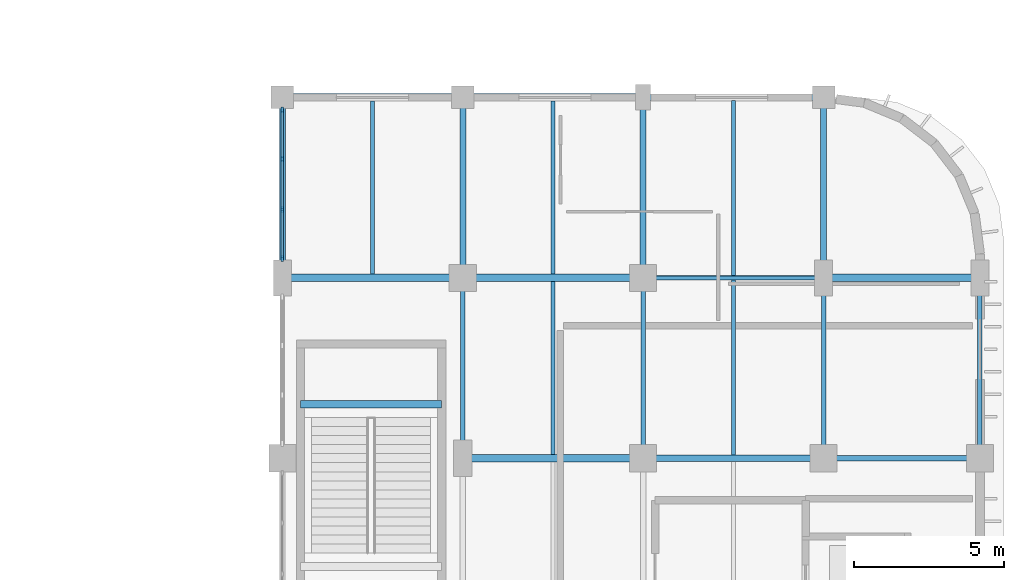
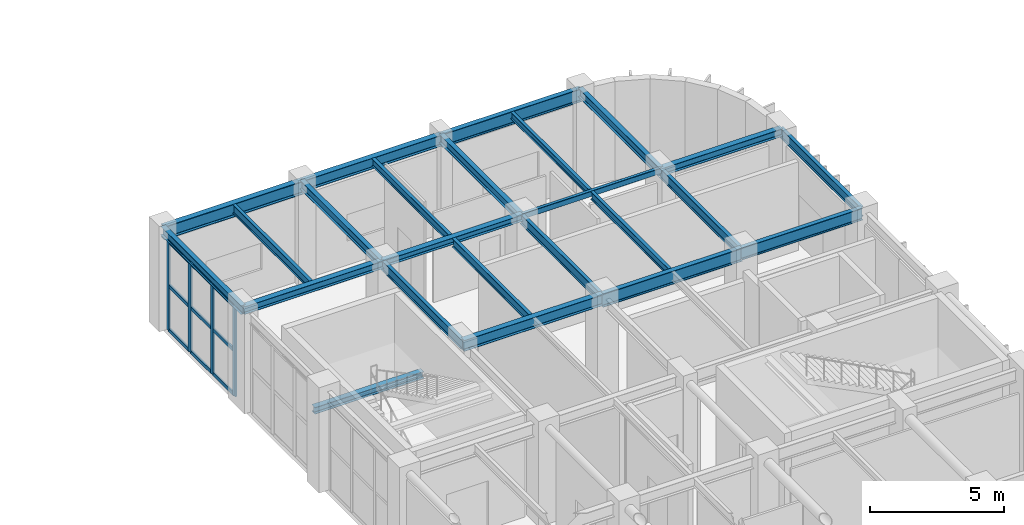
# One storey, part 31 of 76: 24 beams, 13 members, 1 element without a shape of its own.
"""IFC4 building model written with IfcOpenShell, lengths in metres."""

from ifc_helpers import new_model, si_unit, direction, frame, origin, origin_2d, place, context, subcontext, project, spatial, rectangle, hollow_rectangle, i_section, extrude, material, material_profile, profile_set, type_object, element, aggregate, save


model = new_model("IFC4")

# Units and contexts
model_context = context("Model", 3, precision=1e-05, world=origin(), true_north=direction((0.0, 1.0)))
body_context = subcontext(model_context, "Body", "Model", "MODEL_VIEW")
ifc_project = project(units=[si_unit("LENGTHUNIT", "METRE"), si_unit("AREAUNIT", "SQUARE_METRE"), si_unit("VOLUMEUNIT", "CUBIC_METRE"), si_unit("PLANEANGLEUNIT", "RADIAN"), si_unit("MASSUNIT", "GRAM", prefix="KILO")], contexts=[model_context])

# Site, building, storey
site_placement = place(None, origin())
site = spatial("IfcSite", under=ifc_project, at=site_placement, CompositionType="ELEMENT")
building_placement = place(site_placement, origin())
building = spatial("IfcBuilding", under=site, at=building_placement, Name="Varnakota Square Police Headquarters", CompositionType="ELEMENT")
storey_placement = place(building_placement, origin())
storey = spatial("IfcBuildingStorey", under=building, at=storey_placement, Name="L00", CompositionType="ELEMENT", Elevation=0.0)

# Beams
ifc_material_1 = material(Name="Steel IS 2062 Grade 350", Category="steel")
ifc_material_profile_1 = material_profile(ifc_material_1, hollow_rectangle(XDim=0.14990234375, YDim=0.25, WallThickness=0.010009765625, InnerFilletRadius=0.010009765625, OuterFilletRadius=0.02001953125, at=origin_2d()), Name="RHS 250x150x10")
ifc_profile_set_1 = profile_set([ifc_material_profile_1], Name="Steel IS 2062 Grade 350")
beam_type_1 = type_object("IfcBeamType", Name="BM-CBEAM-RHS250", PredefinedType="BEAM", material=ifc_profile_set_1)
beam_1_placement = place(storey_placement, frame((150.0, 39.0, 4.375), z_axis=(1.0, 0.0, 0.0), x_axis=(0.0, 1.0, 0.0)))
element("IfcBeam", 1, at=beam_1_placement, inside=storey, type_object=beam_type_1, Name="BMG-L00-0788", PredefinedType="BEAM", context=body_context, shape_type="SweptSolid", body=[
    extrude(hollow_rectangle(XDim=0.14990234375, YDim=0.25, WallThickness=0.010009765625, InnerFilletRadius=0.010009765625, OuterFilletRadius=0.02001953125, at=origin_2d()), origin(), (0.0, 0.0, 1.0), 6.0),
])
ifc_material_profile_2 = material_profile(ifc_material_1, i_section(OverallWidth=0.25, OverallDepth=0.300048828125, WebThickness=0.009521484375, FlangeThickness=0.010498046875, FilletRadius=0.011962890625, at=origin_2d()), Name="ISHB 300")
ifc_profile_set_2 = profile_set([ifc_material_profile_2], Name="Steel IS 2062 Grade 350")
beam_type_2 = type_object("IfcBeamType", Name="BM-ISHB300", PredefinedType="BEAM", material=ifc_profile_set_2)
beam_2_placement = place(storey_placement, frame((144.0, 39.0, 4.35009765625), z_axis=(1.0, 0.0, 0.0), x_axis=(0.0, 1.0, 0.0)))
element("IfcBeam", 2, at=beam_2_placement, inside=storey, type_object=beam_type_2, Name="BMG-L00-0787", PredefinedType="BEAM", context=body_context, shape_type="SweptSolid", body=[
    extrude(i_section(OverallWidth=0.25, OverallDepth=0.300048828125, WebThickness=0.009521484375, FlangeThickness=0.010498046875, FilletRadius=0.011962890625, at=origin_2d()), origin(), (0.0, 0.0, 1.0), 6.0),
])
beam_3_placement = place(storey_placement, frame((138.60009765625, 34.80078125, 2.087890625), z_axis=(1.0, 0.0, 0.0), x_axis=(0.0, 1.0, 0.0)))
element("IfcBeam", 3, at=beam_3_placement, inside=storey, type_object=beam_type_2, Name="Stair landing support beam BM-LND-0031", PredefinedType="BEAM", context=body_context, shape_type="SweptSolid", body=[
    extrude(i_section(OverallWidth=0.25, OverallDepth=0.300048828125, WebThickness=0.009521484375, FlangeThickness=0.010498046875, FilletRadius=0.011962890625, at=origin_2d()), origin(), (0.0, 0.0, 1.0), 4.699951171875),
])
ifc_material_profile_3 = material_profile(ifc_material_1, i_section(OverallWidth=0.25, OverallDepth=0.35009765625, WebThickness=0.010009765625, FlangeThickness=0.01171875, FilletRadius=0.011962890625, at=origin_2d()), Name="ISHB 350")
ifc_profile_set_3 = profile_set([ifc_material_profile_3], Name="Steel IS 2062 Grade 350")
beam_type_3 = type_object("IfcBeamType", Name="BM-ISHB350", PredefinedType="BEAM", material=ifc_profile_set_3)
beam_4_placement = place(storey_placement, frame((138.0, 39.0, 4.324951171875), z_axis=(1.0, 0.0, 0.0), x_axis=(0.0, 1.0, 0.0)))
element("IfcBeam", 4, at=beam_4_placement, inside=storey, type_object=beam_type_3, Name="BMG-L00-0786", PredefinedType="BEAM", context=body_context, shape_type="SweptSolid", body=[
    extrude(i_section(OverallWidth=0.25, OverallDepth=0.35009765625, WebThickness=0.010009765625, FlangeThickness=0.01171875, FilletRadius=0.011962890625, at=origin_2d()), origin(), (0.0, 0.0, 1.0), 6.0),
])
beam_5_placement = place(storey_placement, frame((156.0, 39.0, 4.324951171875), z_axis=(1.0, 0.0, 0.0), x_axis=(0.0, 1.0, 0.0)))
element("IfcBeam", 5, at=beam_5_placement, inside=storey, type_object=beam_type_3, Name="BMG-L00-0789", PredefinedType="BEAM", context=body_context, shape_type="SweptSolid", body=[
    extrude(i_section(OverallWidth=0.25, OverallDepth=0.35009765625, WebThickness=0.010009765625, FlangeThickness=0.01171875, FilletRadius=0.011962890625, at=origin_2d()), origin(), (0.0, 0.0, 1.0), 5.199951171875),
])
ifc_material_profile_4 = material_profile(ifc_material_1, i_section(OverallWidth=0.139892578125, OverallDepth=0.300048828125, WebThickness=0.0078125, FlangeThickness=0.01318359375, FilletRadius=0.013916015625, at=origin_2d()), Name="ISMB 300")
ifc_profile_set_4 = profile_set([ifc_material_profile_4], Name="Steel IS 2062 Grade 350")
beam_type_4 = type_object("IfcBeamType", Name="BM-ISMB300", PredefinedType="JOIST", material=ifc_profile_set_4)
beam_6_placement = place(storey_placement, frame((153.0, 39.072998046875, 4.35009765625), z_axis=(0.0, 1.0, 0.0), x_axis=(-1.0, 0.0, 0.0)))
element("IfcBeam", 6, at=beam_6_placement, inside=storey, type_object=beam_type_4, Name="BMG-L00-1302", PredefinedType="JOIST", context=body_context, shape_type="SweptSolid", body=[
    extrude(i_section(OverallWidth=0.139892578125, OverallDepth=0.300048828125, WebThickness=0.0078125, FlangeThickness=0.01318359375, FilletRadius=0.013916015625, at=origin_2d()), origin(), (0.0, 0.0, 1.0), 5.823974609375),
])
ifc_material_profile_5 = material_profile(ifc_material_1, i_section(OverallWidth=0.139892578125, OverallDepth=0.35009765625, WebThickness=0.008056640625, FlangeThickness=0.01416015625, FilletRadius=0.013916015625, at=origin_2d()), Name="ISMB 350")
ifc_profile_set_5 = profile_set([ifc_material_profile_5], Name="Steel IS 2062 Grade 350")
beam_type_5 = type_object("IfcBeamType", Name="BM-ISMB350", PredefinedType="JOIST", material=ifc_profile_set_5)
beam_7_placement = place(storey_placement, frame((147.0, 39.123046875, 4.324951171875), z_axis=(0.0, 1.0, 0.0), x_axis=(-1.0, 0.0, 0.0)))
element("IfcBeam", 7, at=beam_7_placement, inside=storey, type_object=beam_type_5, Name="BMG-L00-1293", PredefinedType="JOIST", context=body_context, shape_type="SweptSolid", body=[
    extrude(i_section(OverallWidth=0.139892578125, OverallDepth=0.35009765625, WebThickness=0.008056640625, FlangeThickness=0.01416015625, FilletRadius=0.013916015625, at=origin_2d()), origin(), (0.0, 0.0, 1.0), 5.75390625),
])
beam_8_placement = place(storey_placement, frame((153.0, 33.10302734375, 4.324951171875), z_axis=(0.0, 1.0, 0.0), x_axis=(-1.0, 0.0, 0.0)))
element("IfcBeam", 8, at=beam_8_placement, inside=storey, type_object=beam_type_5, Name="BMG-L00-1301", PredefinedType="JOIST", context=body_context, shape_type="SweptSolid", body=[
    extrude(i_section(OverallWidth=0.139892578125, OverallDepth=0.35009765625, WebThickness=0.008056640625, FlangeThickness=0.01416015625, FilletRadius=0.013916015625, at=origin_2d()), origin(), (0.0, 0.0, 1.0), 5.823974609375),
])
ifc_material_profile_6 = material_profile(ifc_material_1, i_section(OverallWidth=0.139892578125, OverallDepth=0.39990234375, WebThickness=0.0087890625, FlangeThickness=0.01611328125, FilletRadius=0.013916015625, at=origin_2d()), Name="ISMB 400")
ifc_profile_set_6 = profile_set([ifc_material_profile_6], Name="Steel IS 2062 Grade 350")
beam_type_6 = type_object("IfcBeamType", Name="BM-ISMB400", PredefinedType="JOIST", material=ifc_profile_set_6)
for number, where, z_axis, x_axis, name in (
    (9, (141.0, 39.123046875, 4.300048828125), (0.0, 1.0, 0.0), (-1.0, 0.0, 0.0), "BMG-L00-1281"),
    (10, (147.0, 33.123046875, 4.300048828125), (0.0, 1.0, 0.0), (-1.0, 0.0, 0.0), "BMG-L00-1292"),
):
    element("IfcBeam", number, at=place(storey_placement, frame(where, z_axis=z_axis, x_axis=x_axis)), inside=storey, type_object=beam_type_6, Name=name, PredefinedType="JOIST", context=body_context, shape_type="SweptSolid", body=[
        extrude(i_section(OverallWidth=0.139892578125, OverallDepth=0.39990234375, WebThickness=0.0087890625, FlangeThickness=0.01611328125, FilletRadius=0.013916015625, at=origin_2d()), origin(), (0.0, 0.0, 1.0), 5.75390625),
    ])
ifc_material_profile_7 = material_profile(ifc_material_1, i_section(OverallWidth=0.14990234375, OverallDepth=0.449951171875, WebThickness=0.009521484375, FlangeThickness=0.017333984375, FilletRadius=0.014892578125, at=origin_2d()), Name="ISMB 450")
ifc_profile_set_7 = profile_set([ifc_material_profile_7], Name="Steel IS 2062 Grade 350")
beam_type_7 = type_object("IfcBeamType", Name="BM-ISMB450", PredefinedType="BEAM", material=ifc_profile_set_7)
for number, where, z_axis, x_axis, name in (
    (11, (144.0, 33.0, 4.27490234375), (0.0, 1.0, 0.0), (-1.0, 0.0, 0.0), "BMG-L00-1136"),
    (12, (150.0, 33.0, 4.27490234375), (0.0, 1.0, 0.0), (-1.0, 0.0, 0.0), "BMG-L00-1150"),
    (13, (156.0, 33.0, 4.27490234375), (0.0, 1.0, 0.0), (-1.0, 0.0, 0.0), "BMG-L00-1159"),
    (14, (161.199951171875, 33.0, 4.27490234375), (0.0, 1.0, 0.0), (-1.0, 0.0, 0.0), "BMG-L00-1172"),
):
    element("IfcBeam", number, at=place(storey_placement, frame(where, z_axis=z_axis, x_axis=x_axis)), inside=storey, type_object=beam_type_7, Name=name, PredefinedType="BEAM", context=body_context, shape_type="SweptSolid", body=[
        extrude(i_section(OverallWidth=0.14990234375, OverallDepth=0.449951171875, WebThickness=0.009521484375, FlangeThickness=0.017333984375, FilletRadius=0.014892578125, at=origin_2d()), origin(), (0.0, 0.0, 1.0), 6.0),
    ])
ifc_material_profile_8 = material_profile(ifc_material_1, i_section(OverallWidth=0.18994140625, OverallDepth=0.550048828125, WebThickness=0.01123046875, FlangeThickness=0.019287109375, FilletRadius=0.01806640625, at=origin_2d()), Name="ISMB 550")
ifc_profile_set_8 = profile_set([ifc_material_profile_8], Name="Steel IS 2062 Grade 350")
beam_type_8 = type_object("IfcBeamType", Name="BM-ISMB550", PredefinedType="BEAM", material=ifc_profile_set_8)
beam_9_placement = place(storey_placement, frame((156.0, 33.0, 4.22509765625), z_axis=(1.0, 0.0, 0.0), x_axis=(0.0, 1.0, 0.0)))
element("IfcBeam", 15, at=beam_9_placement, inside=storey, type_object=beam_type_8, Name="BMG-L00-0772", PredefinedType="BEAM", context=body_context, shape_type="SweptSolid", body=[
    extrude(i_section(OverallWidth=0.18994140625, OverallDepth=0.550048828125, WebThickness=0.01123046875, FlangeThickness=0.019287109375, FilletRadius=0.01806640625, at=origin_2d()), origin(), (0.0, 0.0, 1.0), 5.199951171875),
])
ifc_material_profile_9 = material_profile(ifc_material_1, i_section(OverallWidth=0.2099609375, OverallDepth=0.60009765625, WebThickness=0.011962890625, FlangeThickness=0.020751953125, FilletRadius=0.02001953125, at=origin_2d()), Name="ISMB 600")
ifc_profile_set_9 = profile_set([ifc_material_profile_9], Name="Steel IS 2062 Grade 350")
beam_type_9 = type_object("IfcBeamType", Name="BM-ISMB600", PredefinedType="BEAM", material=ifc_profile_set_9)
for number, where, z_axis, x_axis, name in (
    (16, (150.0, 33.0, 4.199951171875), (1.0, 0.0, 0.0), (0.0, 1.0, 0.0), "BMG-L00-0771"),
    (17, (150.0, 45.0, 4.199951171875), (1.0, 0.0, 0.0), (0.0, 1.0, 0.0), "BMG-L00-0797"),
):
    element("IfcBeam", number, at=place(storey_placement, frame(where, z_axis=z_axis, x_axis=x_axis)), inside=storey, type_object=beam_type_9, Name=name, PredefinedType="BEAM", context=body_context, shape_type="SweptSolid", body=[
        extrude(i_section(OverallWidth=0.2099609375, OverallDepth=0.60009765625, WebThickness=0.011962890625, FlangeThickness=0.020751953125, FilletRadius=0.02001953125, at=origin_2d()), origin(), (0.0, 0.0, 1.0), 6.0),
    ])
ifc_material_profile_10 = material_profile(ifc_material_1, i_section(OverallWidth=0.199951171875, OverallDepth=0.39990234375, WebThickness=0.008544921875, FlangeThickness=0.012939453125, FilletRadius=0.012939453125, at=origin_2d()), Name="ISWB 400")
ifc_profile_set_10 = profile_set([ifc_material_profile_10], Name="Steel IS 2062 Grade 350")
beam_type_10 = type_object("IfcBeamType", Name="BM-ISWB400", PredefinedType="BEAM", material=ifc_profile_set_10)
for number, where, z_axis, x_axis, name in (
    (18, (138.0, 39.0, 4.300048828125), (0.0, 1.0, 0.0), (-1.0, 0.0, 0.0), "BMG-L00-1123"),
    (19, (144.0, 39.0, 4.300048828125), (0.0, 1.0, 0.0), (-1.0, 0.0, 0.0), "BMG-L00-1137"),
    (20, (150.0, 39.0, 4.300048828125), (0.0, 1.0, 0.0), (-1.0, 0.0, 0.0), "BMG-L00-1151"),
    (21, (156.0, 39.0, 4.300048828125), (0.0, 1.0, 0.0), (-1.0, 0.0, 0.0), "BMG-L00-1160"),
):
    element("IfcBeam", number, at=place(storey_placement, frame(where, z_axis=z_axis, x_axis=x_axis)), inside=storey, type_object=beam_type_10, Name=name, PredefinedType="BEAM", context=body_context, shape_type="SweptSolid", body=[
        extrude(i_section(OverallWidth=0.199951171875, OverallDepth=0.39990234375, WebThickness=0.008544921875, FlangeThickness=0.012939453125, FilletRadius=0.012939453125, at=origin_2d()), origin(), (0.0, 0.0, 1.0), 6.0),
    ])
ifc_material_profile_11 = material_profile(ifc_material_1, i_section(OverallWidth=0.25, OverallDepth=0.5, WebThickness=0.010009765625, FlangeThickness=0.0146484375, FilletRadius=0.014892578125, at=origin_2d()), Name="ISWB 500")
ifc_profile_set_11 = profile_set([ifc_material_profile_11], Name="Steel IS 2062 Grade 350")
beam_type_11 = type_object("IfcBeamType", Name="BM-ISWB500", PredefinedType="BEAM", material=ifc_profile_set_11)
for number, where, z_axis, x_axis, name in (
    (22, (144.0, 33.0, 4.25), (1.0, 0.0, 0.0), (0.0, 1.0, 0.0), "BMG-L00-0770"),
    (23, (144.0, 45.0, 4.25), (1.0, 0.0, 0.0), (0.0, 1.0, 0.0), "BMG-L00-0796"),
):
    element("IfcBeam", number, at=place(storey_placement, frame(where, z_axis=z_axis, x_axis=x_axis)), inside=storey, type_object=beam_type_11, Name=name, PredefinedType="BEAM", context=body_context, shape_type="SweptSolid", body=[
        extrude(i_section(OverallWidth=0.25, OverallDepth=0.5, WebThickness=0.010009765625, FlangeThickness=0.0146484375, FilletRadius=0.014892578125, at=origin_2d()), origin(), (0.0, 0.0, 1.0), 6.0),
    ])
ifc_material_profile_12 = material_profile(ifc_material_1, i_section(OverallWidth=0.25, OverallDepth=0.60009765625, WebThickness=0.01171875, FlangeThickness=0.023681640625, FilletRadius=0.01708984375, at=origin_2d()), Name="ISWB 600")
ifc_profile_set_12 = profile_set([ifc_material_profile_12], Name="Steel IS 2062 Grade 350")
beam_type_12 = type_object("IfcBeamType", Name="BM-ISWB600", PredefinedType="BEAM", material=ifc_profile_set_12)
beam_10_placement = place(storey_placement, frame((138.0, 45.0, 4.199951171875), z_axis=(1.0, 0.0, 0.0), x_axis=(0.0, 1.0, 0.0)))
element("IfcBeam", 24, at=beam_10_placement, inside=storey, type_object=beam_type_12, Name="BMG-L00-0795", PredefinedType="BEAM", context=body_context, shape_type="SweptSolid", body=[
    extrude(i_section(OverallWidth=0.25, OverallDepth=0.60009765625, WebThickness=0.01171875, FlangeThickness=0.023681640625, FilletRadius=0.01708984375, at=origin_2d()), origin(), (0.0, 0.0, 1.0), 6.0),
])

# Curtain wall, members
ifc_material_2 = material(Name="Anodised Aluminium Framing", Category="aluminium")
curtain_wall_type = type_object("IfcCurtainWallType", Name="CW-SYS-E", PredefinedType="NOTDEFINED", material=ifc_material_2)
curtain_wall_placement = place(storey_placement, origin())
curtain_wall = element("IfcCurtainWall", 25, at=curtain_wall_placement, inside=storey, type_object=curtain_wall_type, Name="Unitised curtain wall CWG-L00-054", PredefinedType="NOTDEFINED")
ifc_material_3 = material(Name="Anodised Aluminium 6063-T6", Category="aluminium")
ifc_material_profile_13 = material_profile(ifc_material_3, rectangle(XDim=0.074951171875, YDim=0.199951171875, at=origin_2d()), Name="ALU MULLION 75x200")
ifc_profile_set_13 = profile_set([ifc_material_profile_13], Name="Anodised Aluminium 6063-T6")
member_type_1 = type_object("IfcMemberType", Name="CWM-180", PredefinedType="MULLION", material=ifc_profile_set_13)
member_1_placement = place(storey_placement, frame((138.0, 39.642578125, 0.0), z_axis=(0.0, 0.0, 1.0), x_axis=(-1.0, 0.0, 0.0)))
member_1 = element("IfcMember", 26, at=member_1_placement, type_object=member_type_1, Name="CWG-L00-054 mullion 1", PredefinedType="MULLION", context=body_context, shape_type="SweptSolid", body=[
    extrude(rectangle(XDim=0.074951171875, YDim=0.199951171875, at=origin_2d()), origin(), (0.0, 0.0, 1.0), 4.090087890625),
])
member_2_placement = place(storey_placement, frame((138.0, 41.276611328125, 0.0), z_axis=(0.0, 0.0, 1.0), x_axis=(-1.0, 0.0, 0.0)))
member_2 = element("IfcMember", 27, at=member_2_placement, type_object=member_type_1, Name="CWG-L00-054 mullion 2", PredefinedType="MULLION", context=body_context, shape_type="SweptSolid", body=[
    extrude(rectangle(XDim=0.074951171875, YDim=0.199951171875, at=origin_2d()), origin(), (0.0, 0.0, 1.0), 4.090087890625),
])
member_3_placement = place(storey_placement, frame((138.0, 42.9482421875, 0.0), z_axis=(0.0, 0.0, 1.0), x_axis=(-1.0, 0.0, 0.0)))
member_3 = element("IfcMember", 28, at=member_3_placement, type_object=member_type_1, Name="CWG-L00-054 mullion 3", PredefinedType="MULLION", context=body_context, shape_type="SweptSolid", body=[
    extrude(rectangle(XDim=0.074951171875, YDim=0.199951171875, at=origin_2d()), origin(), (0.0, 0.0, 1.0), 4.090087890625),
])
member_4_placement = place(storey_placement, frame((138.0, 44.58251953125, 0.0), z_axis=(0.0, 0.0, 1.0), x_axis=(-1.0, 0.0, 0.0)))
member_4 = element("IfcMember", 29, at=member_4_placement, type_object=member_type_1, Name="CWG-L00-054 mullion 4", PredefinedType="MULLION", context=body_context, shape_type="SweptSolid", body=[
    extrude(rectangle(XDim=0.074951171875, YDim=0.199951171875, at=origin_2d()), origin(), (0.0, 0.0, 1.0), 4.090087890625),
])
ifc_material_profile_14 = material_profile(ifc_material_3, rectangle(XDim=0.074951171875, YDim=0.159912109375, at=origin_2d()), Name="ALU TRANSOM 75x160")
ifc_profile_set_14 = profile_set([ifc_material_profile_14], Name="Anodised Aluminium 6063-T6")
member_type_2 = type_object("IfcMemberType", Name="CWT-150", PredefinedType="USERDEFINED", material=ifc_profile_set_14)
member_5_placement = place(storey_placement, frame((138.0, 39.679931640625, 0.03759765625), z_axis=(0.0, 1.0, 0.0), x_axis=(-1.0, 0.0, 0.0)))
member_5 = element("IfcMember", 30, at=member_5_placement, type_object=member_type_2, Name="CWG-L00-054 transom 1.1", ObjectType="TRANSOM", PredefinedType="USERDEFINED", context=body_context, shape_type="SweptSolid", body=[
    extrude(rectangle(XDim=0.074951171875, YDim=0.159912109375, at=origin_2d()), origin(), (0.0, 0.0, 1.0), 1.559326171875),
])
member_6_placement = place(storey_placement, frame((138.0, 39.679931640625, 2.044921875), z_axis=(0.0, 1.0, 0.0), x_axis=(-1.0, 0.0, 0.0)))
member_6 = element("IfcMember", 31, at=member_6_placement, type_object=member_type_2, Name="CWG-L00-054 transom 1.2", ObjectType="TRANSOM", PredefinedType="USERDEFINED", context=body_context, shape_type="SweptSolid", body=[
    extrude(rectangle(XDim=0.074951171875, YDim=0.159912109375, at=origin_2d()), origin(), (0.0, 0.0, 1.0), 1.559326171875),
])
member_7_placement = place(storey_placement, frame((138.0, 39.679931640625, 4.052490234375), z_axis=(0.0, 1.0, 0.0), x_axis=(-1.0, 0.0, 0.0)))
member_7 = element("IfcMember", 32, at=member_7_placement, type_object=member_type_2, Name="CWG-L00-054 transom 1.3", ObjectType="TRANSOM", PredefinedType="USERDEFINED", context=body_context, shape_type="SweptSolid", body=[
    extrude(rectangle(XDim=0.074951171875, YDim=0.159912109375, at=origin_2d()), origin(), (0.0, 0.0, 1.0), 1.559326171875),
])
member_8_placement = place(storey_placement, frame((138.0, 41.314208984375, 0.03759765625), z_axis=(0.0, 1.0, 0.0), x_axis=(-1.0, 0.0, 0.0)))
member_8 = element("IfcMember", 33, at=member_8_placement, type_object=member_type_2, Name="CWG-L00-054 transom 2.1", ObjectType="TRANSOM", PredefinedType="USERDEFINED", context=body_context, shape_type="SweptSolid", body=[
    extrude(rectangle(XDim=0.074951171875, YDim=0.159912109375, at=origin_2d()), origin(), (0.0, 0.0, 1.0), 1.5966796875),
])
member_9_placement = place(storey_placement, frame((138.0, 41.314208984375, 2.044921875), z_axis=(0.0, 1.0, 0.0), x_axis=(-1.0, 0.0, 0.0)))
member_9 = element("IfcMember", 34, at=member_9_placement, type_object=member_type_2, Name="CWG-L00-054 transom 2.2", ObjectType="TRANSOM", PredefinedType="USERDEFINED", context=body_context, shape_type="SweptSolid", body=[
    extrude(rectangle(XDim=0.074951171875, YDim=0.159912109375, at=origin_2d()), origin(), (0.0, 0.0, 1.0), 1.5966796875),
])
member_10_placement = place(storey_placement, frame((138.0, 41.314208984375, 4.052490234375), z_axis=(0.0, 1.0, 0.0), x_axis=(-1.0, 0.0, 0.0)))
member_10 = element("IfcMember", 35, at=member_10_placement, type_object=member_type_2, Name="CWG-L00-054 transom 2.3", ObjectType="TRANSOM", PredefinedType="USERDEFINED", context=body_context, shape_type="SweptSolid", body=[
    extrude(rectangle(XDim=0.074951171875, YDim=0.159912109375, at=origin_2d()), origin(), (0.0, 0.0, 1.0), 1.5966796875),
])
member_11_placement = place(storey_placement, frame((138.0, 42.98583984375, 0.03759765625), z_axis=(0.0, 1.0, 0.0), x_axis=(-1.0, 0.0, 0.0)))
member_11 = element("IfcMember", 36, at=member_11_placement, type_object=member_type_2, Name="CWG-L00-054 transom 3.1", ObjectType="TRANSOM", PredefinedType="USERDEFINED", context=body_context, shape_type="SweptSolid", body=[
    extrude(rectangle(XDim=0.074951171875, YDim=0.159912109375, at=origin_2d()), origin(), (0.0, 0.0, 1.0), 1.55908203125),
])
member_12_placement = place(storey_placement, frame((138.0, 42.98583984375, 2.044921875), z_axis=(0.0, 1.0, 0.0), x_axis=(-1.0, 0.0, 0.0)))
member_12 = element("IfcMember", 37, at=member_12_placement, type_object=member_type_2, Name="CWG-L00-054 transom 3.2", ObjectType="TRANSOM", PredefinedType="USERDEFINED", context=body_context, shape_type="SweptSolid", body=[
    extrude(rectangle(XDim=0.074951171875, YDim=0.159912109375, at=origin_2d()), origin(), (0.0, 0.0, 1.0), 1.55908203125),
])
member_13_placement = place(storey_placement, frame((138.0, 42.98583984375, 4.052490234375), z_axis=(0.0, 1.0, 0.0), x_axis=(-1.0, 0.0, 0.0)))
member_13 = element("IfcMember", 38, at=member_13_placement, type_object=member_type_2, Name="CWG-L00-054 transom 3.3", ObjectType="TRANSOM", PredefinedType="USERDEFINED", context=body_context, shape_type="SweptSolid", body=[
    extrude(rectangle(XDim=0.074951171875, YDim=0.159912109375, at=origin_2d()), origin(), (0.0, 0.0, 1.0), 1.55908203125),
])
aggregate(curtain_wall, [member_1, member_2, member_3, member_4, member_5, member_6, member_7, member_8, member_9, member_10, member_11, member_12, member_13])

save(model, "model.ifc")
